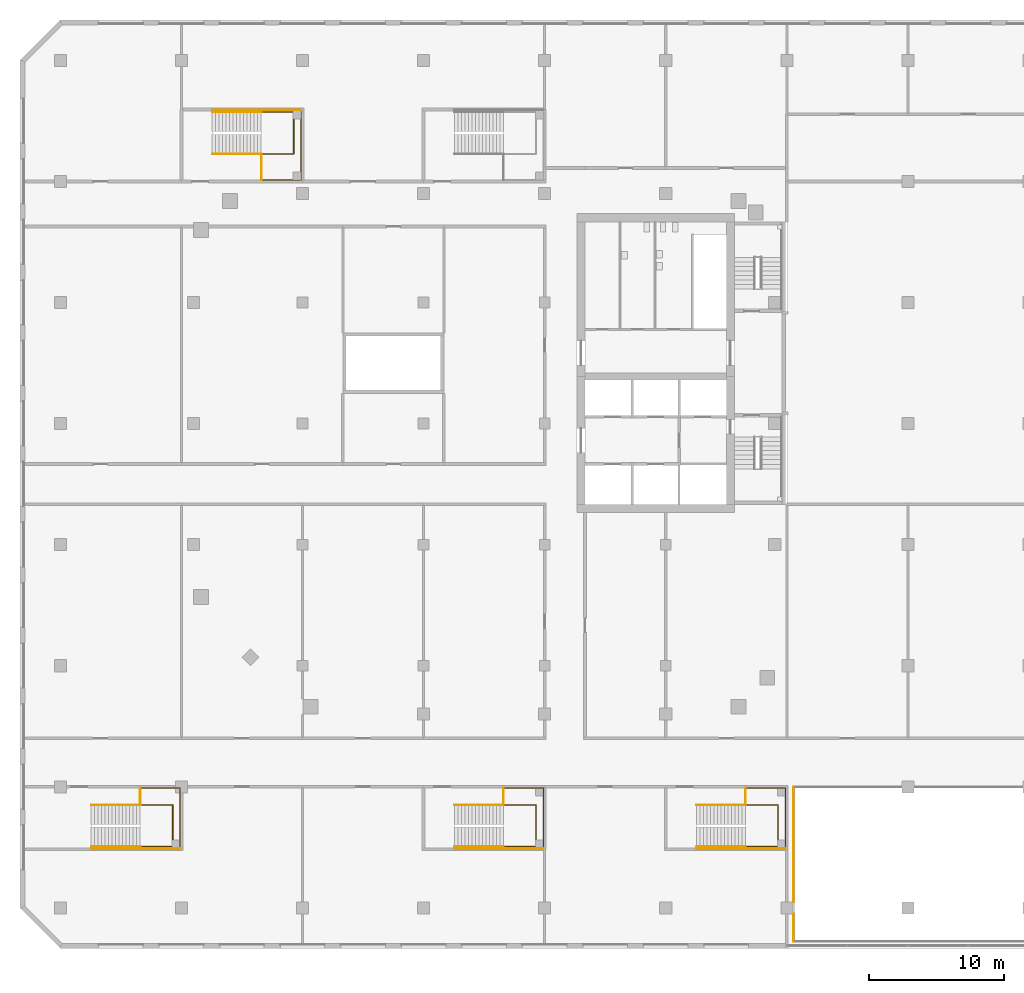
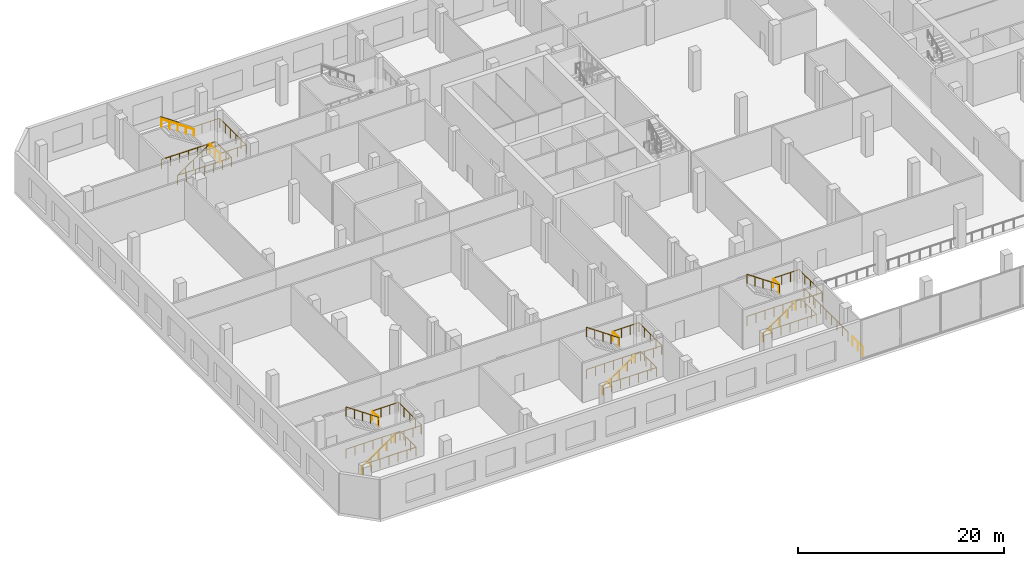
# One storey, part 19 of 23: 26 railings.
"""IFC4 building model written with IfcOpenShell, lengths in metres."""

from ifc_helpers import new_model, si_unit, direction, frame, origin, origin_2d, place, context, subcontext, project, spatial, circle, extrude, material, type_object, element, save


model = new_model("IFC4")

# Units and contexts
model_context = context("Model", 3, precision=1e-05, world=origin(), true_north=direction((0.0, 1.0)))
body_context = subcontext(model_context, "Body", "Model", "MODEL_VIEW")
ifc_project = project(units=[si_unit("LENGTHUNIT", "METRE"), si_unit("AREAUNIT", "SQUARE_METRE"), si_unit("VOLUMEUNIT", "CUBIC_METRE"), si_unit("PLANEANGLEUNIT", "RADIAN"), si_unit("MASSUNIT", "GRAM", prefix="KILO")], contexts=[model_context])

# Site, building, storey
site_placement = place(None, origin())
site = spatial("IfcSite", under=ifc_project, at=site_placement, CompositionType="ELEMENT")
building_placement = place(site_placement, origin())
building = spatial("IfcBuilding", under=site, at=building_placement, Name="Cinnabar Reach Civic Tower", CompositionType="ELEMENT")
storey_placement = place(building_placement, frame((0.0, 0.0, 6.0)))
storey = spatial("IfcBuildingStorey", under=building, at=storey_placement, Name="L01", CompositionType="ELEMENT", Elevation=6.0)

# Railings
ifc_material_1 = material(Name="Stainless steel and glass", Category="steel")
railing_type_1 = type_object("IfcRailingType", Name="Podium guard 1100", PredefinedType="GUARDRAIL", material=ifc_material_1)
railing_1_placement = place(storey_placement, frame((-75.06, -1.35, 2.5)))
element("IfcRailing", 1, at=railing_1_placement, inside=storey, type_object=railing_type_1, Name="Stair guard PS1 L01", PredefinedType="GUARDRAIL", context=body_context, shape_type="SweptSolid", body=[
    extrude(circle(Radius=0.024, at=origin_2d()), frame((0.0, 0.0, 1.076), z_axis=(-0.824306135323, 0.0, 0.566144323711), x_axis=(0.0, -1.0, 0.0)), (0.0, 0.0, 1.0), 4.4158),
    extrude(circle(Radius=0.021, at=origin_2d()), origin(), (0.0, 0.0, 1.0), 1.052),
    extrude(circle(Radius=0.021, at=origin_2d()), frame((-0.91, 0.0, 0.625)), (0.0, 0.0, 1.0), 1.052),
    extrude(circle(Radius=0.021, at=origin_2d()), frame((-1.82, 0.0, 1.25)), (0.0, 0.0, 1.0), 1.052),
    extrude(circle(Radius=0.021, at=origin_2d()), frame((-2.73, 0.0, 1.875)), (0.0, 0.0, 1.0), 1.052),
    extrude(circle(Radius=0.021, at=origin_2d()), frame((-3.64, 0.0, 2.5)), (0.0, 0.0, 1.0), 1.052),
])
railing_2_placement = place(storey_placement, frame((-75.06, -0.1, 2.5)))
element("IfcRailing", 2, at=railing_2_placement, inside=storey, type_object=railing_type_1, Name="Landing guard PS1 L01", PredefinedType="GUARDRAIL", context=body_context, shape_type="SweptSolid", body=[
    extrude(circle(Radius=0.024, at=origin_2d()), frame((0.0, 0.0, 1.076), z_axis=(1.0, 0.0, 0.0), x_axis=(0.0, 1.0, 0.0)), (0.0, 0.0, 1.0), 2.96),
    extrude(circle(Radius=0.024, at=origin_2d()), frame((2.96, 0.0, 1.076), z_axis=(0.0, -1.0, 0.0), x_axis=(1.0, 0.0, 0.0)), (0.0, 0.0, 1.0), 4.4),
    extrude(circle(Radius=0.021, at=origin_2d()), origin(), (0.0, 0.0, 1.0), 1.052),
    extrude(circle(Radius=0.021, at=origin_2d()), frame((0.9867, 0.0, 0.0)), (0.0, 0.0, 1.0), 1.052),
    extrude(circle(Radius=0.021, at=origin_2d()), frame((1.9733, 0.0, 0.0)), (0.0, 0.0, 1.0), 1.052),
    extrude(circle(Radius=0.021, at=origin_2d()), frame((2.96, 0.0, 0.0)), (0.0, 0.0, 1.0), 1.052),
    extrude(circle(Radius=0.021, at=origin_2d()), frame((2.96, -1.1, 0.0)), (0.0, 0.0, 1.0), 1.052),
    extrude(circle(Radius=0.021, at=origin_2d()), frame((2.96, -2.2, 0.0)), (0.0, 0.0, 1.0), 1.052),
    extrude(circle(Radius=0.021, at=origin_2d()), frame((2.96, -3.3, 0.0)), (0.0, 0.0, 1.0), 1.052),
    extrude(circle(Radius=0.021, at=origin_2d()), frame((2.96, -4.4, 0.0)), (0.0, 0.0, 1.0), 1.052),
])
railing_3_placement = place(storey_placement, frame((-75.06, -1.3, 2.5)))
element("IfcRailing", 3, at=railing_3_placement, inside=storey, type_object=railing_type_1, Name="Landing guard PS1 L01 inner", PredefinedType="GUARDRAIL", context=body_context, shape_type="SweptSolid", body=[
    extrude(circle(Radius=0.024, at=origin_2d()), frame((0.0, 0.0, 1.076), z_axis=(0.0, 1.0, 0.0), x_axis=(-1.0, 0.0, 0.0)), (0.0, 0.0, 1.0), 1.2),
    extrude(circle(Radius=0.021, at=origin_2d()), origin(), (0.0, 0.0, 1.0), 1.052),
    extrude(circle(Radius=0.021, at=origin_2d()), frame((0.0, 1.2, 0.0)), (0.0, 0.0, 1.0), 1.052),
])
railing_4_placement = place(storey_placement, frame((-78.7, -4.6, 0.0)))
element("IfcRailing", 4, at=railing_4_placement, inside=storey, type_object=railing_type_1, Name="Stair wall side guard PS1 L01", PredefinedType="GUARDRAIL", context=body_context, shape_type="SweptSolid", body=[
    extrude(circle(Radius=0.024, at=origin_2d()), frame((0.0, 0.0, 1.076), z_axis=(0.824306135323, 0.0, 0.566144323711), x_axis=(0.0, 1.0, 0.0)), (0.0, 0.0, 1.0), 4.4158),
    extrude(circle(Radius=0.024, at=origin_2d()), frame((3.64, 0.0, 3.576), z_axis=(1.0, 0.0, 0.0), x_axis=(0.0, 1.0, 0.0)), (0.0, 0.0, 1.0), 2.96),
    extrude(circle(Radius=0.021, at=origin_2d()), origin(), (0.0, 0.0, 1.0), 1.052),
    extrude(circle(Radius=0.021, at=origin_2d()), frame((0.91, 0.0, 0.625)), (0.0, 0.0, 1.0), 1.052),
    extrude(circle(Radius=0.021, at=origin_2d()), frame((1.82, 0.0, 1.25)), (0.0, 0.0, 1.0), 1.052),
    extrude(circle(Radius=0.021, at=origin_2d()), frame((2.73, 0.0, 1.875)), (0.0, 0.0, 1.0), 1.052),
    extrude(circle(Radius=0.021, at=origin_2d()), frame((3.64, 0.0, 2.5)), (0.0, 0.0, 1.0), 1.052),
    extrude(circle(Radius=0.021, at=origin_2d()), frame((4.6267, 0.0, 2.5)), (0.0, 0.0, 1.0), 1.052),
    extrude(circle(Radius=0.021, at=origin_2d()), frame((5.6133, 0.0, 2.5)), (0.0, 0.0, 1.0), 1.052),
    extrude(circle(Radius=0.021, at=origin_2d()), frame((6.6, 0.0, 2.5)), (0.0, 0.0, 1.0), 1.052),
])
railing_5_placement = place(storey_placement, frame((-78.7, -4.45, 0.0)))
element("IfcRailing", 5, at=railing_5_placement, inside=storey, type_object=railing_type_1, Name="Stair well guard PS1 L01", PredefinedType="GUARDRAIL", context=body_context, shape_type="SweptSolid", body=[
    extrude(circle(Radius=0.024, at=origin_2d()), frame((0.0, 0.0, 1.076), z_axis=(1.0, 0.0, 0.0), x_axis=(0.0, 1.0, 0.0)), (0.0, 0.0, 1.0), 6.05),
    extrude(circle(Radius=0.024, at=origin_2d()), frame((6.05, 0.0, 1.076), z_axis=(0.0, 1.0, 0.0), x_axis=(-1.0, 0.0, 0.0)), (0.0, 0.0, 1.0), 3.1),
    extrude(circle(Radius=0.024, at=origin_2d()), frame((6.05, 3.1, 1.076), z_axis=(-1.0, 0.0, 0.0), x_axis=(0.0, -1.0, 0.0)), (0.0, 0.0, 1.0), 6.05),
    extrude(circle(Radius=0.021, at=origin_2d()), origin(), (0.0, 0.0, 1.0), 1.052),
    extrude(circle(Radius=0.021, at=origin_2d()), frame((1.0083, 0.0, 0.0)), (0.0, 0.0, 1.0), 1.052),
    extrude(circle(Radius=0.021, at=origin_2d()), frame((2.0167, 0.0, 0.0)), (0.0, 0.0, 1.0), 1.052),
    extrude(circle(Radius=0.021, at=origin_2d()), frame((3.025, 0.0, 0.0)), (0.0, 0.0, 1.0), 1.052),
    extrude(circle(Radius=0.021, at=origin_2d()), frame((4.0333, 0.0, 0.0)), (0.0, 0.0, 1.0), 1.052),
    extrude(circle(Radius=0.021, at=origin_2d()), frame((5.0417, 0.0, 0.0)), (0.0, 0.0, 1.0), 1.052),
    extrude(circle(Radius=0.021, at=origin_2d()), frame((6.05, 0.0, 0.0)), (0.0, 0.0, 1.0), 1.052),
    extrude(circle(Radius=0.021, at=origin_2d()), frame((6.05, 1.0333, 0.0)), (0.0, 0.0, 1.0), 1.052),
    extrude(circle(Radius=0.021, at=origin_2d()), frame((6.05, 2.0667, 0.0)), (0.0, 0.0, 1.0), 1.052),
    extrude(circle(Radius=0.021, at=origin_2d()), frame((6.05, 3.1, 0.0)), (0.0, 0.0, 1.0), 1.052),
    extrude(circle(Radius=0.021, at=origin_2d()), frame((5.0417, 3.1, 0.0)), (0.0, 0.0, 1.0), 1.052),
    extrude(circle(Radius=0.021, at=origin_2d()), frame((4.0333, 3.1, 0.0)), (0.0, 0.0, 1.0), 1.052),
    extrude(circle(Radius=0.021, at=origin_2d()), frame((3.025, 3.1, 0.0)), (0.0, 0.0, 1.0), 1.052),
    extrude(circle(Radius=0.021, at=origin_2d()), frame((2.0167, 3.1, 0.0)), (0.0, 0.0, 1.0), 1.052),
    extrude(circle(Radius=0.021, at=origin_2d()), frame((1.0083, 3.1, 0.0)), (0.0, 0.0, 1.0), 1.052),
    extrude(circle(Radius=0.021, at=origin_2d()), frame((0.0, 3.1, 0.0)), (0.0, 0.0, 1.0), 1.052),
])
railing_6_placement = place(storey_placement, frame((-69.7, 47.05, 0.0)))
element("IfcRailing", 6, at=railing_6_placement, inside=storey, type_object=railing_type_1, Name="Stair guard PS2 L01", PredefinedType="GUARDRAIL", context=body_context, shape_type="SweptSolid", body=[
    extrude(circle(Radius=0.024, at=origin_2d()), frame((0.0, 0.0, 1.076), z_axis=(0.824306135323, 0.0, 0.566144323711), x_axis=(0.0, 1.0, 0.0)), (0.0, 0.0, 1.0), 4.4158),
    extrude(circle(Radius=0.021, at=origin_2d()), origin(), (0.0, 0.0, 1.0), 1.052),
    extrude(circle(Radius=0.021, at=origin_2d()), frame((0.91, 0.0, 0.625)), (0.0, 0.0, 1.0), 1.052),
    extrude(circle(Radius=0.021, at=origin_2d()), frame((1.82, 0.0, 1.25)), (0.0, 0.0, 1.0), 1.052),
    extrude(circle(Radius=0.021, at=origin_2d()), frame((2.73, 0.0, 1.875)), (0.0, 0.0, 1.0), 1.052),
    extrude(circle(Radius=0.021, at=origin_2d()), frame((3.64, 0.0, 2.5)), (0.0, 0.0, 1.0), 1.052),
])
railing_7_placement = place(storey_placement, frame((-66.06, 45.1, 2.5)))
element("IfcRailing", 7, at=railing_7_placement, inside=storey, type_object=railing_type_1, Name="Landing guard PS2 L01", PredefinedType="GUARDRAIL", context=body_context, shape_type="SweptSolid", body=[
    extrude(circle(Radius=0.024, at=origin_2d()), frame((0.0, 0.0, 1.076), z_axis=(1.0, 0.0, 0.0), x_axis=(0.0, 1.0, 0.0)), (0.0, 0.0, 1.0), 2.96),
    extrude(circle(Radius=0.024, at=origin_2d()), frame((2.96, 0.0, 1.076), z_axis=(0.0, 1.0, 0.0), x_axis=(-1.0, 0.0, 0.0)), (0.0, 0.0, 1.0), 5.1),
    extrude(circle(Radius=0.021, at=origin_2d()), origin(), (0.0, 0.0, 1.0), 1.052),
    extrude(circle(Radius=0.021, at=origin_2d()), frame((0.9867, 0.0, 0.0)), (0.0, 0.0, 1.0), 1.052),
    extrude(circle(Radius=0.021, at=origin_2d()), frame((1.9733, 0.0, 0.0)), (0.0, 0.0, 1.0), 1.052),
    extrude(circle(Radius=0.021, at=origin_2d()), frame((2.96, 0.0, 0.0)), (0.0, 0.0, 1.0), 1.052),
    extrude(circle(Radius=0.021, at=origin_2d()), frame((2.96, 1.02, 0.0)), (0.0, 0.0, 1.0), 1.052),
    extrude(circle(Radius=0.021, at=origin_2d()), frame((2.96, 2.04, 0.0)), (0.0, 0.0, 1.0), 1.052),
    extrude(circle(Radius=0.021, at=origin_2d()), frame((2.96, 3.06, 0.0)), (0.0, 0.0, 1.0), 1.052),
    extrude(circle(Radius=0.021, at=origin_2d()), frame((2.96, 4.08, 0.0)), (0.0, 0.0, 1.0), 1.052),
    extrude(circle(Radius=0.021, at=origin_2d()), frame((2.96, 5.1, 0.0)), (0.0, 0.0, 1.0), 1.052),
])
railing_8_placement = place(storey_placement, frame((-66.06, 45.1, 2.5)))
element("IfcRailing", 8, at=railing_8_placement, inside=storey, type_object=railing_type_1, Name="Landing guard PS2 L01 inner", PredefinedType="GUARDRAIL", context=body_context, shape_type="SweptSolid", body=[
    extrude(circle(Radius=0.024, at=origin_2d()), frame((0.0, 0.0, 1.076), z_axis=(0.0, 1.0, 0.0), x_axis=(-1.0, 0.0, 0.0)), (0.0, 0.0, 1.0), 1.9),
    extrude(circle(Radius=0.021, at=origin_2d()), origin(), (0.0, 0.0, 1.0), 1.052),
    extrude(circle(Radius=0.021, at=origin_2d()), frame((0.0, 0.95, 0.0)), (0.0, 0.0, 1.0), 1.052),
    extrude(circle(Radius=0.021, at=origin_2d()), frame((0.0, 1.9, 0.0)), (0.0, 0.0, 1.0), 1.052),
])
railing_9_placement = place(storey_placement, frame((-63.1, 50.3, 2.5)))
element("IfcRailing", 9, at=railing_9_placement, inside=storey, type_object=railing_type_1, Name="Stair wall side guard PS2 L01", PredefinedType="GUARDRAIL", context=body_context, shape_type="SweptSolid", body=[
    extrude(circle(Radius=0.024, at=origin_2d()), frame((0.0, 0.0, 1.076), z_axis=(-1.0, 0.0, 0.0), x_axis=(0.0, -1.0, 0.0)), (0.0, 0.0, 1.0), 2.96),
    extrude(circle(Radius=0.024, at=origin_2d()), frame((-2.96, 0.0, 1.076), z_axis=(-0.824306135323, 0.0, 0.566144323711), x_axis=(0.0, -1.0, 0.0)), (0.0, 0.0, 1.0), 4.4158),
    extrude(circle(Radius=0.021, at=origin_2d()), origin(), (0.0, 0.0, 1.0), 1.052),
    extrude(circle(Radius=0.021, at=origin_2d()), frame((-0.9867, 0.0, 0.0)), (0.0, 0.0, 1.0), 1.052),
    extrude(circle(Radius=0.021, at=origin_2d()), frame((-1.9733, 0.0, 0.0)), (0.0, 0.0, 1.0), 1.052),
    extrude(circle(Radius=0.021, at=origin_2d()), frame((-2.96, 0.0, 0.0)), (0.0, 0.0, 1.0), 1.052),
    extrude(circle(Radius=0.021, at=origin_2d()), frame((-3.87, 0.0, 0.625)), (0.0, 0.0, 1.0), 1.052),
    extrude(circle(Radius=0.021, at=origin_2d()), frame((-4.78, 0.0, 1.25)), (0.0, 0.0, 1.0), 1.052),
    extrude(circle(Radius=0.021, at=origin_2d()), frame((-5.69, 0.0, 1.875)), (0.0, 0.0, 1.0), 1.052),
    extrude(circle(Radius=0.021, at=origin_2d()), frame((-6.6, 0.0, 2.5)), (0.0, 0.0, 1.0), 1.052),
])
railing_10_placement = place(storey_placement, frame((-69.7, 47.05, 0.0)))
element("IfcRailing", 10, at=railing_10_placement, inside=storey, type_object=railing_type_1, Name="Stair well guard PS2 L01", PredefinedType="GUARDRAIL", context=body_context, shape_type="SweptSolid", body=[
    extrude(circle(Radius=0.024, at=origin_2d()), frame((0.0, 0.0, 1.076), z_axis=(1.0, 0.0, 0.0), x_axis=(0.0, 1.0, 0.0)), (0.0, 0.0, 1.0), 6.05),
    extrude(circle(Radius=0.024, at=origin_2d()), frame((6.05, 0.0, 1.076), z_axis=(0.0, 1.0, 0.0), x_axis=(-1.0, 0.0, 0.0)), (0.0, 0.0, 1.0), 3.1),
    extrude(circle(Radius=0.024, at=origin_2d()), frame((6.05, 3.1, 1.076), z_axis=(-1.0, 0.0, 0.0), x_axis=(0.0, -1.0, 0.0)), (0.0, 0.0, 1.0), 6.05),
    extrude(circle(Radius=0.021, at=origin_2d()), origin(), (0.0, 0.0, 1.0), 1.052),
    extrude(circle(Radius=0.021, at=origin_2d()), frame((1.0083, 0.0, 0.0)), (0.0, 0.0, 1.0), 1.052),
    extrude(circle(Radius=0.021, at=origin_2d()), frame((2.0167, 0.0, 0.0)), (0.0, 0.0, 1.0), 1.052),
    extrude(circle(Radius=0.021, at=origin_2d()), frame((3.025, 0.0, 0.0)), (0.0, 0.0, 1.0), 1.052),
    extrude(circle(Radius=0.021, at=origin_2d()), frame((4.0333, 0.0, 0.0)), (0.0, 0.0, 1.0), 1.052),
    extrude(circle(Radius=0.021, at=origin_2d()), frame((5.0417, 0.0, 0.0)), (0.0, 0.0, 1.0), 1.052),
    extrude(circle(Radius=0.021, at=origin_2d()), frame((6.05, 0.0, 0.0)), (0.0, 0.0, 1.0), 1.052),
    extrude(circle(Radius=0.021, at=origin_2d()), frame((6.05, 1.0333, 0.0)), (0.0, 0.0, 1.0), 1.052),
    extrude(circle(Radius=0.021, at=origin_2d()), frame((6.05, 2.0667, 0.0)), (0.0, 0.0, 1.0), 1.052),
    extrude(circle(Radius=0.021, at=origin_2d()), frame((6.05, 3.1, 0.0)), (0.0, 0.0, 1.0), 1.052),
    extrude(circle(Radius=0.021, at=origin_2d()), frame((5.0417, 3.1, 0.0)), (0.0, 0.0, 1.0), 1.052),
    extrude(circle(Radius=0.021, at=origin_2d()), frame((4.0333, 3.1, 0.0)), (0.0, 0.0, 1.0), 1.052),
    extrude(circle(Radius=0.021, at=origin_2d()), frame((3.025, 3.1, 0.0)), (0.0, 0.0, 1.0), 1.052),
    extrude(circle(Radius=0.021, at=origin_2d()), frame((2.0167, 3.1, 0.0)), (0.0, 0.0, 1.0), 1.052),
    extrude(circle(Radius=0.021, at=origin_2d()), frame((1.0083, 3.1, 0.0)), (0.0, 0.0, 1.0), 1.052),
    extrude(circle(Radius=0.021, at=origin_2d()), frame((0.0, 3.1, 0.0)), (0.0, 0.0, 1.0), 1.052),
])
railing_11_placement = place(storey_placement, frame((-48.06, -1.35, 2.5)))
element("IfcRailing", 11, at=railing_11_placement, inside=storey, type_object=railing_type_1, Name="Stair guard PS8 L01", PredefinedType="GUARDRAIL", context=body_context, shape_type="SweptSolid", body=[
    extrude(circle(Radius=0.024, at=origin_2d()), frame((0.0, 0.0, 1.076), z_axis=(-0.824306135323, 0.0, 0.566144323711), x_axis=(0.0, -1.0, 0.0)), (0.0, 0.0, 1.0), 4.4158),
    extrude(circle(Radius=0.021, at=origin_2d()), origin(), (0.0, 0.0, 1.0), 1.052),
    extrude(circle(Radius=0.021, at=origin_2d()), frame((-0.91, 0.0, 0.625)), (0.0, 0.0, 1.0), 1.052),
    extrude(circle(Radius=0.021, at=origin_2d()), frame((-1.82, 0.0, 1.25)), (0.0, 0.0, 1.0), 1.052),
    extrude(circle(Radius=0.021, at=origin_2d()), frame((-2.73, 0.0, 1.875)), (0.0, 0.0, 1.0), 1.052),
    extrude(circle(Radius=0.021, at=origin_2d()), frame((-3.64, 0.0, 2.5)), (0.0, 0.0, 1.0), 1.052),
])
railing_12_placement = place(storey_placement, frame((-48.06, -0.1, 2.5)))
element("IfcRailing", 12, at=railing_12_placement, inside=storey, type_object=railing_type_1, Name="Landing guard PS8 L01", PredefinedType="GUARDRAIL", context=body_context, shape_type="SweptSolid", body=[
    extrude(circle(Radius=0.024, at=origin_2d()), frame((0.0, 0.0, 1.076), z_axis=(1.0, 0.0, 0.0), x_axis=(0.0, 1.0, 0.0)), (0.0, 0.0, 1.0), 2.96),
    extrude(circle(Radius=0.024, at=origin_2d()), frame((2.96, 0.0, 1.076), z_axis=(0.0, -1.0, 0.0), x_axis=(1.0, 0.0, 0.0)), (0.0, 0.0, 1.0), 4.4),
    extrude(circle(Radius=0.021, at=origin_2d()), origin(), (0.0, 0.0, 1.0), 1.052),
    extrude(circle(Radius=0.021, at=origin_2d()), frame((0.9867, 0.0, 0.0)), (0.0, 0.0, 1.0), 1.052),
    extrude(circle(Radius=0.021, at=origin_2d()), frame((1.9733, 0.0, 0.0)), (0.0, 0.0, 1.0), 1.052),
    extrude(circle(Radius=0.021, at=origin_2d()), frame((2.96, 0.0, 0.0)), (0.0, 0.0, 1.0), 1.052),
    extrude(circle(Radius=0.021, at=origin_2d()), frame((2.96, -1.1, 0.0)), (0.0, 0.0, 1.0), 1.052),
    extrude(circle(Radius=0.021, at=origin_2d()), frame((2.96, -2.2, 0.0)), (0.0, 0.0, 1.0), 1.052),
    extrude(circle(Radius=0.021, at=origin_2d()), frame((2.96, -3.3, 0.0)), (0.0, 0.0, 1.0), 1.052),
    extrude(circle(Radius=0.021, at=origin_2d()), frame((2.96, -4.4, 0.0)), (0.0, 0.0, 1.0), 1.052),
])
railing_13_placement = place(storey_placement, frame((-48.06, -1.3, 2.5)))
element("IfcRailing", 13, at=railing_13_placement, inside=storey, type_object=railing_type_1, Name="Landing guard PS8 L01 inner", PredefinedType="GUARDRAIL", context=body_context, shape_type="SweptSolid", body=[
    extrude(circle(Radius=0.024, at=origin_2d()), frame((0.0, 0.0, 1.076), z_axis=(0.0, 1.0, 0.0), x_axis=(-1.0, 0.0, 0.0)), (0.0, 0.0, 1.0), 1.2),
    extrude(circle(Radius=0.021, at=origin_2d()), origin(), (0.0, 0.0, 1.0), 1.052),
    extrude(circle(Radius=0.021, at=origin_2d()), frame((0.0, 1.2, 0.0)), (0.0, 0.0, 1.0), 1.052),
])
railing_14_placement = place(storey_placement, frame((-51.7, -4.6, 0.0)))
element("IfcRailing", 14, at=railing_14_placement, inside=storey, type_object=railing_type_1, Name="Stair wall side guard PS8 L01", PredefinedType="GUARDRAIL", context=body_context, shape_type="SweptSolid", body=[
    extrude(circle(Radius=0.024, at=origin_2d()), frame((0.0, 0.0, 1.076), z_axis=(0.824306135323, 0.0, 0.566144323711), x_axis=(0.0, 1.0, 0.0)), (0.0, 0.0, 1.0), 4.4158),
    extrude(circle(Radius=0.024, at=origin_2d()), frame((3.64, 0.0, 3.576), z_axis=(1.0, 0.0, 0.0), x_axis=(0.0, 1.0, 0.0)), (0.0, 0.0, 1.0), 2.96),
    extrude(circle(Radius=0.021, at=origin_2d()), origin(), (0.0, 0.0, 1.0), 1.052),
    extrude(circle(Radius=0.021, at=origin_2d()), frame((0.91, 0.0, 0.625)), (0.0, 0.0, 1.0), 1.052),
    extrude(circle(Radius=0.021, at=origin_2d()), frame((1.82, 0.0, 1.25)), (0.0, 0.0, 1.0), 1.052),
    extrude(circle(Radius=0.021, at=origin_2d()), frame((2.73, 0.0, 1.875)), (0.0, 0.0, 1.0), 1.052),
    extrude(circle(Radius=0.021, at=origin_2d()), frame((3.64, 0.0, 2.5)), (0.0, 0.0, 1.0), 1.052),
    extrude(circle(Radius=0.021, at=origin_2d()), frame((4.6267, 0.0, 2.5)), (0.0, 0.0, 1.0), 1.052),
    extrude(circle(Radius=0.021, at=origin_2d()), frame((5.6133, 0.0, 2.5)), (0.0, 0.0, 1.0), 1.052),
    extrude(circle(Radius=0.021, at=origin_2d()), frame((6.6, 0.0, 2.5)), (0.0, 0.0, 1.0), 1.052),
])
railing_15_placement = place(storey_placement, frame((-51.7, -4.45, 0.0)))
element("IfcRailing", 15, at=railing_15_placement, inside=storey, type_object=railing_type_1, Name="Stair well guard PS8 L01", PredefinedType="GUARDRAIL", context=body_context, shape_type="SweptSolid", body=[
    extrude(circle(Radius=0.024, at=origin_2d()), frame((0.0, 0.0, 1.076), z_axis=(1.0, 0.0, 0.0), x_axis=(0.0, 1.0, 0.0)), (0.0, 0.0, 1.0), 6.05),
    extrude(circle(Radius=0.024, at=origin_2d()), frame((6.05, 0.0, 1.076), z_axis=(0.0, 1.0, 0.0), x_axis=(-1.0, 0.0, 0.0)), (0.0, 0.0, 1.0), 3.1),
    extrude(circle(Radius=0.024, at=origin_2d()), frame((6.05, 3.1, 1.076), z_axis=(-1.0, 0.0, 0.0), x_axis=(0.0, -1.0, 0.0)), (0.0, 0.0, 1.0), 6.05),
    extrude(circle(Radius=0.021, at=origin_2d()), origin(), (0.0, 0.0, 1.0), 1.052),
    extrude(circle(Radius=0.021, at=origin_2d()), frame((1.0083, 0.0, 0.0)), (0.0, 0.0, 1.0), 1.052),
    extrude(circle(Radius=0.021, at=origin_2d()), frame((2.0167, 0.0, 0.0)), (0.0, 0.0, 1.0), 1.052),
    extrude(circle(Radius=0.021, at=origin_2d()), frame((3.025, 0.0, 0.0)), (0.0, 0.0, 1.0), 1.052),
    extrude(circle(Radius=0.021, at=origin_2d()), frame((4.0333, 0.0, 0.0)), (0.0, 0.0, 1.0), 1.052),
    extrude(circle(Radius=0.021, at=origin_2d()), frame((5.0417, 0.0, 0.0)), (0.0, 0.0, 1.0), 1.052),
    extrude(circle(Radius=0.021, at=origin_2d()), frame((6.05, 0.0, 0.0)), (0.0, 0.0, 1.0), 1.052),
    extrude(circle(Radius=0.021, at=origin_2d()), frame((6.05, 1.0333, 0.0)), (0.0, 0.0, 1.0), 1.052),
    extrude(circle(Radius=0.021, at=origin_2d()), frame((6.05, 2.0667, 0.0)), (0.0, 0.0, 1.0), 1.052),
    extrude(circle(Radius=0.021, at=origin_2d()), frame((6.05, 3.1, 0.0)), (0.0, 0.0, 1.0), 1.052),
    extrude(circle(Radius=0.021, at=origin_2d()), frame((5.0417, 3.1, 0.0)), (0.0, 0.0, 1.0), 1.052),
    extrude(circle(Radius=0.021, at=origin_2d()), frame((4.0333, 3.1, 0.0)), (0.0, 0.0, 1.0), 1.052),
    extrude(circle(Radius=0.021, at=origin_2d()), frame((3.025, 3.1, 0.0)), (0.0, 0.0, 1.0), 1.052),
    extrude(circle(Radius=0.021, at=origin_2d()), frame((2.0167, 3.1, 0.0)), (0.0, 0.0, 1.0), 1.052),
    extrude(circle(Radius=0.021, at=origin_2d()), frame((1.0083, 3.1, 0.0)), (0.0, 0.0, 1.0), 1.052),
    extrude(circle(Radius=0.021, at=origin_2d()), frame((0.0, 3.1, 0.0)), (0.0, 0.0, 1.0), 1.052),
])
railing_16_placement = place(storey_placement, frame((-30.06, -1.35, 2.5)))
element("IfcRailing", 16, at=railing_16_placement, inside=storey, type_object=railing_type_1, Name="Stair guard PS9 L01", PredefinedType="GUARDRAIL", context=body_context, shape_type="SweptSolid", body=[
    extrude(circle(Radius=0.024, at=origin_2d()), frame((0.0, 0.0, 1.076), z_axis=(-0.824306135323, 0.0, 0.566144323711), x_axis=(0.0, -1.0, 0.0)), (0.0, 0.0, 1.0), 4.4158),
    extrude(circle(Radius=0.021, at=origin_2d()), origin(), (0.0, 0.0, 1.0), 1.052),
    extrude(circle(Radius=0.021, at=origin_2d()), frame((-0.91, 0.0, 0.625)), (0.0, 0.0, 1.0), 1.052),
    extrude(circle(Radius=0.021, at=origin_2d()), frame((-1.82, 0.0, 1.25)), (0.0, 0.0, 1.0), 1.052),
    extrude(circle(Radius=0.021, at=origin_2d()), frame((-2.73, 0.0, 1.875)), (0.0, 0.0, 1.0), 1.052),
    extrude(circle(Radius=0.021, at=origin_2d()), frame((-3.64, 0.0, 2.5)), (0.0, 0.0, 1.0), 1.052),
])
railing_17_placement = place(storey_placement, frame((-30.06, -0.1, 2.5)))
element("IfcRailing", 17, at=railing_17_placement, inside=storey, type_object=railing_type_1, Name="Landing guard PS9 L01", PredefinedType="GUARDRAIL", context=body_context, shape_type="SweptSolid", body=[
    extrude(circle(Radius=0.024, at=origin_2d()), frame((0.0, 0.0, 1.076), z_axis=(1.0, 0.0, 0.0), x_axis=(0.0, 1.0, 0.0)), (0.0, 0.0, 1.0), 2.96),
    extrude(circle(Radius=0.024, at=origin_2d()), frame((2.96, 0.0, 1.076), z_axis=(0.0, -1.0, 0.0), x_axis=(1.0, 0.0, 0.0)), (0.0, 0.0, 1.0), 4.4),
    extrude(circle(Radius=0.021, at=origin_2d()), origin(), (0.0, 0.0, 1.0), 1.052),
    extrude(circle(Radius=0.021, at=origin_2d()), frame((0.9867, 0.0, 0.0)), (0.0, 0.0, 1.0), 1.052),
    extrude(circle(Radius=0.021, at=origin_2d()), frame((1.9733, 0.0, 0.0)), (0.0, 0.0, 1.0), 1.052),
    extrude(circle(Radius=0.021, at=origin_2d()), frame((2.96, 0.0, 0.0)), (0.0, 0.0, 1.0), 1.052),
    extrude(circle(Radius=0.021, at=origin_2d()), frame((2.96, -1.1, 0.0)), (0.0, 0.0, 1.0), 1.052),
    extrude(circle(Radius=0.021, at=origin_2d()), frame((2.96, -2.2, 0.0)), (0.0, 0.0, 1.0), 1.052),
    extrude(circle(Radius=0.021, at=origin_2d()), frame((2.96, -3.3, 0.0)), (0.0, 0.0, 1.0), 1.052),
    extrude(circle(Radius=0.021, at=origin_2d()), frame((2.96, -4.4, 0.0)), (0.0, 0.0, 1.0), 1.052),
])
railing_18_placement = place(storey_placement, frame((-30.06, -1.3, 2.5)))
element("IfcRailing", 18, at=railing_18_placement, inside=storey, type_object=railing_type_1, Name="Landing guard PS9 L01 inner", PredefinedType="GUARDRAIL", context=body_context, shape_type="SweptSolid", body=[
    extrude(circle(Radius=0.024, at=origin_2d()), frame((0.0, 0.0, 1.076), z_axis=(0.0, 1.0, 0.0), x_axis=(-1.0, 0.0, 0.0)), (0.0, 0.0, 1.0), 1.2),
    extrude(circle(Radius=0.021, at=origin_2d()), origin(), (0.0, 0.0, 1.0), 1.052),
    extrude(circle(Radius=0.021, at=origin_2d()), frame((0.0, 1.2, 0.0)), (0.0, 0.0, 1.0), 1.052),
])
railing_19_placement = place(storey_placement, frame((-33.7, -4.6, 0.0)))
element("IfcRailing", 19, at=railing_19_placement, inside=storey, type_object=railing_type_1, Name="Stair wall side guard PS9 L01", PredefinedType="GUARDRAIL", context=body_context, shape_type="SweptSolid", body=[
    extrude(circle(Radius=0.024, at=origin_2d()), frame((0.0, 0.0, 1.076), z_axis=(0.824306135323, 0.0, 0.566144323711), x_axis=(0.0, 1.0, 0.0)), (0.0, 0.0, 1.0), 4.4158),
    extrude(circle(Radius=0.024, at=origin_2d()), frame((3.64, 0.0, 3.576), z_axis=(1.0, 0.0, 0.0), x_axis=(0.0, 1.0, 0.0)), (0.0, 0.0, 1.0), 2.96),
    extrude(circle(Radius=0.021, at=origin_2d()), origin(), (0.0, 0.0, 1.0), 1.052),
    extrude(circle(Radius=0.021, at=origin_2d()), frame((0.91, 0.0, 0.625)), (0.0, 0.0, 1.0), 1.052),
    extrude(circle(Radius=0.021, at=origin_2d()), frame((1.82, 0.0, 1.25)), (0.0, 0.0, 1.0), 1.052),
    extrude(circle(Radius=0.021, at=origin_2d()), frame((2.73, 0.0, 1.875)), (0.0, 0.0, 1.0), 1.052),
    extrude(circle(Radius=0.021, at=origin_2d()), frame((3.64, 0.0, 2.5)), (0.0, 0.0, 1.0), 1.052),
    extrude(circle(Radius=0.021, at=origin_2d()), frame((4.6267, 0.0, 2.5)), (0.0, 0.0, 1.0), 1.052),
    extrude(circle(Radius=0.021, at=origin_2d()), frame((5.6133, 0.0, 2.5)), (0.0, 0.0, 1.0), 1.052),
    extrude(circle(Radius=0.021, at=origin_2d()), frame((6.6, 0.0, 2.5)), (0.0, 0.0, 1.0), 1.052),
])
railing_20_placement = place(storey_placement, frame((-33.7, -4.45, 0.0)))
element("IfcRailing", 20, at=railing_20_placement, inside=storey, type_object=railing_type_1, Name="Stair well guard PS9 L01", PredefinedType="GUARDRAIL", context=body_context, shape_type="SweptSolid", body=[
    extrude(circle(Radius=0.024, at=origin_2d()), frame((0.0, 0.0, 1.076), z_axis=(1.0, 0.0, 0.0), x_axis=(0.0, 1.0, 0.0)), (0.0, 0.0, 1.0), 6.05),
    extrude(circle(Radius=0.024, at=origin_2d()), frame((6.05, 0.0, 1.076), z_axis=(0.0, 1.0, 0.0), x_axis=(-1.0, 0.0, 0.0)), (0.0, 0.0, 1.0), 3.1),
    extrude(circle(Radius=0.024, at=origin_2d()), frame((6.05, 3.1, 1.076), z_axis=(-1.0, 0.0, 0.0), x_axis=(0.0, -1.0, 0.0)), (0.0, 0.0, 1.0), 6.05),
    extrude(circle(Radius=0.021, at=origin_2d()), origin(), (0.0, 0.0, 1.0), 1.052),
    extrude(circle(Radius=0.021, at=origin_2d()), frame((1.0083, 0.0, 0.0)), (0.0, 0.0, 1.0), 1.052),
    extrude(circle(Radius=0.021, at=origin_2d()), frame((2.0167, 0.0, 0.0)), (0.0, 0.0, 1.0), 1.052),
    extrude(circle(Radius=0.021, at=origin_2d()), frame((3.025, 0.0, 0.0)), (0.0, 0.0, 1.0), 1.052),
    extrude(circle(Radius=0.021, at=origin_2d()), frame((4.0333, 0.0, 0.0)), (0.0, 0.0, 1.0), 1.052),
    extrude(circle(Radius=0.021, at=origin_2d()), frame((5.0417, 0.0, 0.0)), (0.0, 0.0, 1.0), 1.052),
    extrude(circle(Radius=0.021, at=origin_2d()), frame((6.05, 0.0, 0.0)), (0.0, 0.0, 1.0), 1.052),
    extrude(circle(Radius=0.021, at=origin_2d()), frame((6.05, 1.0333, 0.0)), (0.0, 0.0, 1.0), 1.052),
    extrude(circle(Radius=0.021, at=origin_2d()), frame((6.05, 2.0667, 0.0)), (0.0, 0.0, 1.0), 1.052),
    extrude(circle(Radius=0.021, at=origin_2d()), frame((6.05, 3.1, 0.0)), (0.0, 0.0, 1.0), 1.052),
    extrude(circle(Radius=0.021, at=origin_2d()), frame((5.0417, 3.1, 0.0)), (0.0, 0.0, 1.0), 1.052),
    extrude(circle(Radius=0.021, at=origin_2d()), frame((4.0333, 3.1, 0.0)), (0.0, 0.0, 1.0), 1.052),
    extrude(circle(Radius=0.021, at=origin_2d()), frame((3.025, 3.1, 0.0)), (0.0, 0.0, 1.0), 1.052),
    extrude(circle(Radius=0.021, at=origin_2d()), frame((2.0167, 3.1, 0.0)), (0.0, 0.0, 1.0), 1.052),
    extrude(circle(Radius=0.021, at=origin_2d()), frame((1.0083, 3.1, 0.0)), (0.0, 0.0, 1.0), 1.052),
    extrude(circle(Radius=0.021, at=origin_2d()), frame((0.0, 3.1, 0.0)), (0.0, 0.0, 1.0), 1.052),
])
railing_21_placement = place(storey_placement, frame((-26.5, -11.5, 0.0)))
element("IfcRailing", 21, at=railing_21_placement, inside=storey, type_object=railing_type_1, Name="Opening guard L01 hv-w", PredefinedType="GUARDRAIL", context=body_context, shape_type="SweptSolid", body=[
    extrude(circle(Radius=0.024, at=origin_2d()), frame((0.0, 0.0, 1.076), z_axis=(0.0, 1.0, 0.0), x_axis=(-1.0, 0.0, 0.0)), (0.0, 0.0, 1.0), 2.05),
    extrude(circle(Radius=0.021, at=origin_2d()), origin(), (0.0, 0.0, 1.0), 1.052),
    extrude(circle(Radius=0.021, at=origin_2d()), frame((0.0, 1.025, 0.0)), (0.0, 0.0, 1.0), 1.052),
    extrude(circle(Radius=0.021, at=origin_2d()), frame((0.0, 2.05, 0.0)), (0.0, 0.0, 1.0), 1.052),
])
railing_22_placement = place(storey_placement, frame((-26.5, -8.55, 0.0)))
element("IfcRailing", 22, at=railing_22_placement, inside=storey, type_object=railing_type_1, Name="Opening guard L01 hv-w", PredefinedType="GUARDRAIL", context=body_context, shape_type="SweptSolid", body=[
    extrude(circle(Radius=0.024, at=origin_2d()), frame((0.0, 0.0, 1.076), z_axis=(0.0, 1.0, 0.0), x_axis=(-1.0, 0.0, 0.0)), (0.0, 0.0, 1.0), 8.55),
    extrude(circle(Radius=0.021, at=origin_2d()), origin(), (0.0, 0.0, 1.0), 1.052),
    extrude(circle(Radius=0.021, at=origin_2d()), frame((0.0, 1.0688, 0.0)), (0.0, 0.0, 1.0), 1.052),
    extrude(circle(Radius=0.021, at=origin_2d()), frame((0.0, 2.1375, 0.0)), (0.0, 0.0, 1.0), 1.052),
    extrude(circle(Radius=0.021, at=origin_2d()), frame((0.0, 3.2063, 0.0)), (0.0, 0.0, 1.0), 1.052),
    extrude(circle(Radius=0.021, at=origin_2d()), frame((0.0, 4.275, 0.0)), (0.0, 0.0, 1.0), 1.052),
    extrude(circle(Radius=0.021, at=origin_2d()), frame((0.0, 5.3438, 0.0)), (0.0, 0.0, 1.0), 1.052),
    extrude(circle(Radius=0.021, at=origin_2d()), frame((0.0, 6.4125, 0.0)), (0.0, 0.0, 1.0), 1.052),
    extrude(circle(Radius=0.021, at=origin_2d()), frame((0.0, 7.4813, 0.0)), (0.0, 0.0, 1.0), 1.052),
    extrude(circle(Radius=0.021, at=origin_2d()), frame((0.0, 8.55, 0.0)), (0.0, 0.0, 1.0), 1.052),
])
ifc_material_2 = material(Name="Stainless steel", Category="steel")
railing_type_2 = type_object("IfcRailingType", Name="Podium stair handrail 900", PredefinedType="HANDRAIL", material=ifc_material_2)
railing_23_placement = place(storey_placement, frame((-78.7, -4.45, 0.0)))
element("IfcRailing", 23, at=railing_23_placement, inside=storey, type_object=railing_type_2, Name="Stair handrail PS1 L01", PredefinedType="HANDRAIL", context=body_context, shape_type="SweptSolid", body=[
    extrude(circle(Radius=0.024, at=origin_2d()), frame((0.0, 0.0, 0.876), z_axis=(0.824306135323, 0.0, 0.566144323711), x_axis=(0.0, 1.0, 0.0)), (0.0, 0.0, 1.0), 4.4158),
    extrude(circle(Radius=0.021, at=origin_2d()), origin(), (0.0, 0.0, 1.0), 0.852),
    extrude(circle(Radius=0.021, at=origin_2d()), frame((0.91, 0.0, 0.625)), (0.0, 0.0, 1.0), 0.852),
    extrude(circle(Radius=0.021, at=origin_2d()), frame((1.82, 0.0, 1.25)), (0.0, 0.0, 1.0), 0.852),
    extrude(circle(Radius=0.021, at=origin_2d()), frame((2.73, 0.0, 1.875)), (0.0, 0.0, 1.0), 0.852),
    extrude(circle(Radius=0.021, at=origin_2d()), frame((3.64, 0.0, 2.5)), (0.0, 0.0, 1.0), 0.852),
])
railing_24_placement = place(storey_placement, frame((-66.06, 50.15, 2.5)))
element("IfcRailing", 24, at=railing_24_placement, inside=storey, type_object=railing_type_2, Name="Stair handrail PS2 L01", PredefinedType="HANDRAIL", context=body_context, shape_type="SweptSolid", body=[
    extrude(circle(Radius=0.024, at=origin_2d()), frame((0.0, 0.0, 0.876), z_axis=(-0.824306135323, 0.0, 0.566144323711), x_axis=(0.0, -1.0, 0.0)), (0.0, 0.0, 1.0), 4.4158),
    extrude(circle(Radius=0.021, at=origin_2d()), origin(), (0.0, 0.0, 1.0), 0.852),
    extrude(circle(Radius=0.021, at=origin_2d()), frame((-0.91, 0.0, 0.625)), (0.0, 0.0, 1.0), 0.852),
    extrude(circle(Radius=0.021, at=origin_2d()), frame((-1.82, 0.0, 1.25)), (0.0, 0.0, 1.0), 0.852),
    extrude(circle(Radius=0.021, at=origin_2d()), frame((-2.73, 0.0, 1.875)), (0.0, 0.0, 1.0), 0.852),
    extrude(circle(Radius=0.021, at=origin_2d()), frame((-3.64, 0.0, 2.5)), (0.0, 0.0, 1.0), 0.852),
])
for number, where, name in (
    (25, (-51.7, -4.45, 0.0), "Stair handrail PS8 L01"),
    (26, (-33.7, -4.45, 0.0), "Stair handrail PS9 L01"),
):
    element("IfcRailing", number, at=place(storey_placement, frame(where)), inside=storey, type_object=railing_type_2, Name=name, PredefinedType="HANDRAIL", context=body_context, shape_type="SweptSolid", body=[
        extrude(circle(Radius=0.024, at=origin_2d()), frame((0.0, 0.0, 0.876), z_axis=(0.824306135323, 0.0, 0.566144323711), x_axis=(0.0, 1.0, 0.0)), (0.0, 0.0, 1.0), 4.4158),
        extrude(circle(Radius=0.021, at=origin_2d()), origin(), (0.0, 0.0, 1.0), 0.852),
        extrude(circle(Radius=0.021, at=origin_2d()), frame((0.91, 0.0, 0.625)), (0.0, 0.0, 1.0), 0.852),
        extrude(circle(Radius=0.021, at=origin_2d()), frame((1.82, 0.0, 1.25)), (0.0, 0.0, 1.0), 0.852),
        extrude(circle(Radius=0.021, at=origin_2d()), frame((2.73, 0.0, 1.875)), (0.0, 0.0, 1.0), 0.852),
        extrude(circle(Radius=0.021, at=origin_2d()), frame((3.64, 0.0, 2.5)), (0.0, 0.0, 1.0), 0.852),
    ])

save(model, "model.ifc")
